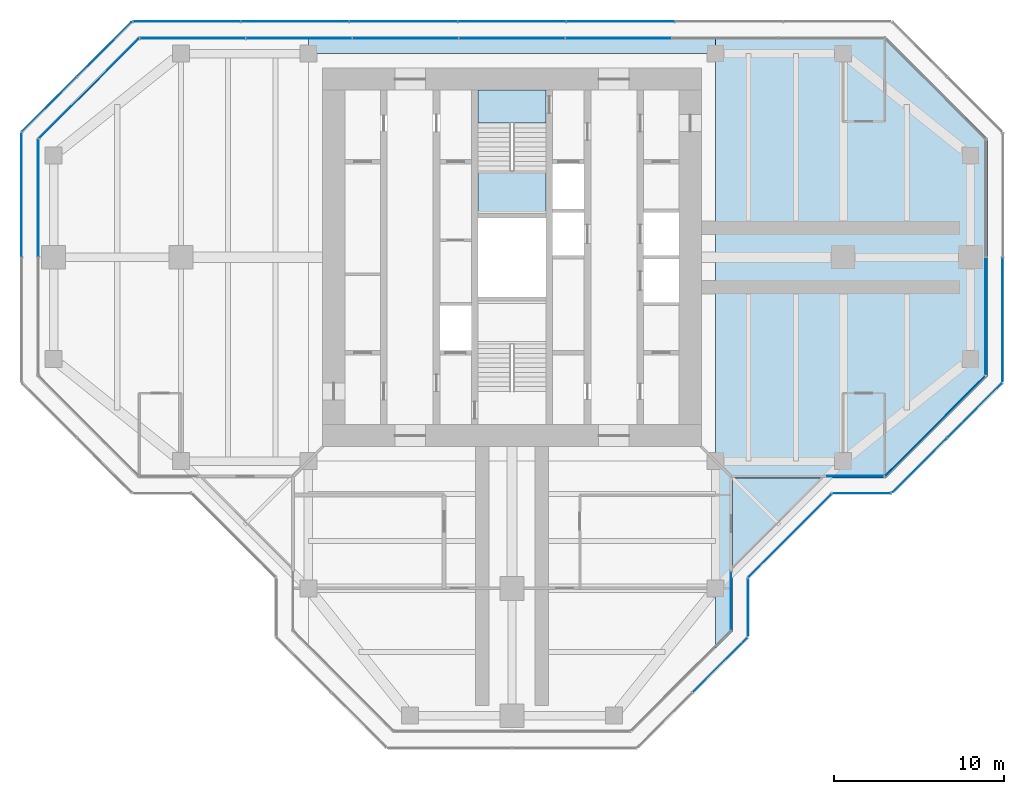
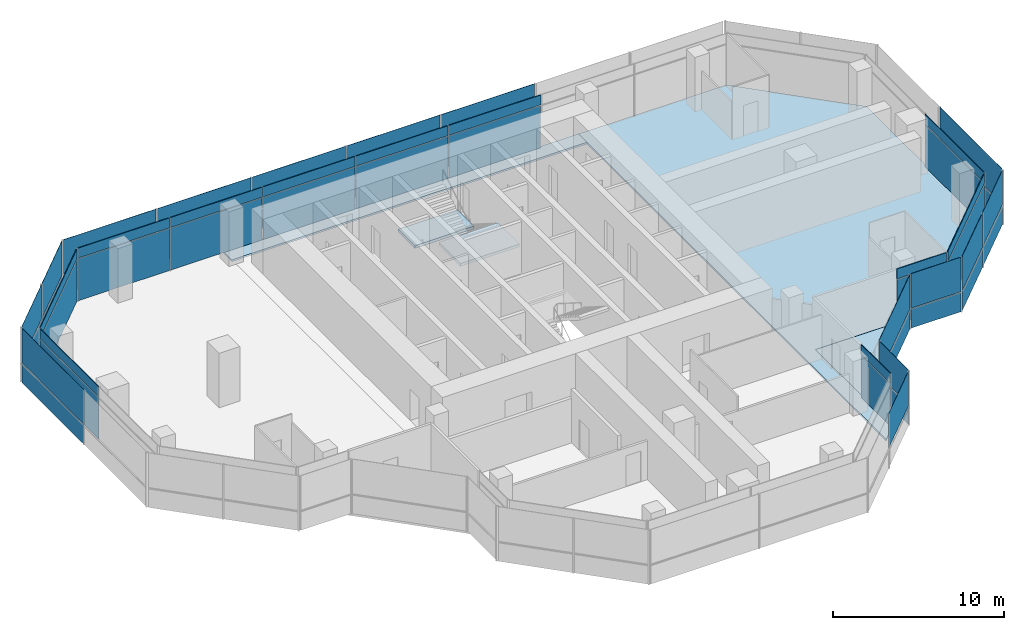
# One storey, part 10 of 15: 51 plates, 5 slabs, 17 elements without a shape of their own.
"""IFC4 building model written with IfcOpenShell, lengths in metres."""

from ifc_helpers import new_model, si_unit, direction, frame, origin, origin_2d, place, context, subcontext, project, spatial, polyline, rectangle, outline, extrude, material, layer, layer_set, type_object, element, aggregate, save


model = new_model("IFC4")

# Units and contexts
model_context = context("Model", 3, precision=1e-05, world=origin(), true_north=direction((0.0, 1.0)))
body_context = subcontext(model_context, "Body", "Model", "MODEL_VIEW")
ifc_project = project(units=[si_unit("LENGTHUNIT", "METRE"), si_unit("AREAUNIT", "SQUARE_METRE"), si_unit("VOLUMEUNIT", "CUBIC_METRE"), si_unit("PLANEANGLEUNIT", "RADIAN"), si_unit("MASSUNIT", "GRAM", prefix="KILO")], contexts=[model_context])

# Site, building, storey
site_placement = place(None, origin())
site = spatial("IfcSite", under=ifc_project, at=site_placement, CompositionType="ELEMENT")
building_placement = place(site_placement, origin())
building = spatial("IfcBuilding", under=site, at=building_placement, Name="Mizan Broadcast Tower", CompositionType="ELEMENT")
storey_placement = place(building_placement, frame((0.0, 0.0, 279.0)))
storey = spatial("IfcBuildingStorey", under=building, at=storey_placement, Name="L66", CompositionType="ELEMENT", Elevation=279.0)

# Slabs
ifc_material_1 = material(Name="Concrete C32/40", Category="concrete")
ifc_layer_1 = layer(ifc_material_1, 0.1298828125)
ifc_layer_set_1 = layer_set([ifc_layer_1], Name="Concrete C32/40")
slab_type_1 = type_object("IfcSlabType", Name="COMPOSITE DECK SLAB 130", PredefinedType="FLOOR", material=ifc_layer_set_1)
slab_1_placement = place(storey_placement, frame((0.0, 0.0, -0.1298828125)))
element("IfcSlab", 1, at=slab_1_placement, inside=storey, type_object=slab_type_1, Name="Floor slab L66 east arm", PredefinedType="FLOOR", context=body_context, shape_type="SweptSolid", body=[
    extrude(outline(polyline([(12.0, -23.0), (13.0, -22.0), (13.0, -13.0), (22.0, -13.0), (28.0, -7.0), (28.0, 7.0), (22.0, 13.0), (13.0, 13.0), (12.0, 13.0), (12.0, -23.0)])), origin(), (0.0, 0.0, 1.0), 0.1298828125),
])
slab_2_placement = place(storey_placement, frame((0.0, 0.0, -0.1298828125)))
element("IfcSlab", 2, at=slab_2_placement, inside=storey, type_object=slab_type_1, Name="Floor slab L66 north arm", PredefinedType="FLOOR", context=body_context, shape_type="SweptSolid", body=[
    extrude(outline(polyline([(12.0, 13.0), (-12.0, 13.0), (-12.0, 12.0), (12.0, 12.0), (12.0, 13.0)])), origin(), (0.0, 0.0, 1.0), 0.1298828125),
])

# Curtain wall, plate
ifc_material_2 = material(Name="Aluminium framed glazing", Category="aluminium")
curtain_wall_type_1 = type_object("IfcCurtainWallType", Name="INNER SKIN TOP ZONE", PredefinedType="USERDEFINED", material=ifc_material_2)
curtain_wall_1_placement = place(storey_placement, origin())
curtain_wall_1 = element("IfcCurtainWall", 3, at=curtain_wall_1_placement, inside=storey, type_object=curtain_wall_type_1, Name="Inner skin top zone L66 E side", ObjectType="INNER SKIN TOP ZONE", PredefinedType="USERDEFINED")
ifc_material_3 = material(Name="Double glazing, clear low-e", Category="glass")
ifc_layer_2 = layer(ifc_material_3, 0.028076171875)
ifc_layer_set_2 = layer_set([ifc_layer_2], Name="Double glazing, clear low-e")
plate_type_1 = type_object("IfcPlateType", Name="INNER SKIN GLAZING UNIT", PredefinedType="CURTAIN_PANEL", material=ifc_layer_set_2)
plate_1_placement = place(storey_placement, frame((20.229248046875, -12.89990234375, 0.0), z_axis=(0.0, 0.0, 1.0), x_axis=(1.0, 0.0, 0.0)))
plate_1 = element("IfcPlate", 4, at=plate_1_placement, type_object=plate_type_1, Name="Inner skin top zone L66 E side panel 1.1", PredefinedType="CURTAIN_PANEL", context=body_context, shape_type="SweptSolid", body=[
    extrude(rectangle(XDim=3.338623046875, YDim=0.028076171875, at=origin_2d()), origin(), (0.0, 0.0, 1.0), 3.0),
])

curtain_wall_2_placement = place(storey_placement, origin())
curtain_wall_2 = element("IfcCurtainWall", 5, at=curtain_wall_2_placement, inside=storey, type_object=curtain_wall_type_1, Name="Inner skin top zone L66 E chamfer", ObjectType="INNER SKIN TOP ZONE", PredefinedType="USERDEFINED")
plate_2_placement = place(storey_placement, frame((24.92919921875, -9.92919921875, 0.0), z_axis=(0.0, 0.0, 1.0), x_axis=(0.707106781187, 0.707106781187, 0.0)))
plate_2 = element("IfcPlate", 6, at=plate_2_placement, type_object=plate_type_1, Name="Inner skin top zone L66 E chamfer panel 1.1", PredefinedType="CURTAIN_PANEL", context=body_context, shape_type="SweptSolid", body=[
    extrude(rectangle(XDim=8.282470703125, YDim=0.028076171875, at=origin_2d()), origin(), (0.0, 0.0, 1.0), 3.0),
])

curtain_wall_3_placement = place(storey_placement, origin())
curtain_wall_3 = element("IfcCurtainWall", 7, at=curtain_wall_3_placement, inside=storey, type_object=curtain_wall_type_1, Name="Inner skin top zone L66 E end", ObjectType="INNER SKIN TOP ZONE", PredefinedType="USERDEFINED")
plate_3_placement = place(storey_placement, frame((27.89990234375, -3.46435546875, 0.0), z_axis=(0.0, 0.0, 1.0), x_axis=(0.0, 1.0, 0.0)))
plate_3 = element("IfcPlate", 8, at=plate_3_placement, type_object=plate_type_1, Name="Inner skin top zone L66 E end panel 1.1", PredefinedType="CURTAIN_PANEL", context=body_context, shape_type="SweptSolid", body=[
    extrude(rectangle(XDim=6.86865234375, YDim=0.028076171875, at=origin_2d()), origin(), (0.0, 0.0, 1.0), 3.0),
])

# Curtain wall, plates
curtain_wall_4_placement = place(storey_placement, origin())
curtain_wall_4 = element("IfcCurtainWall", 9, at=curtain_wall_4_placement, inside=storey, type_object=curtain_wall_type_1, Name="Inner skin top zone L66 N end", ObjectType="INNER SKIN TOP ZONE", PredefinedType="USERDEFINED")
plate_4_placement = place(storey_placement, frame((6.27392578125, 12.89990234375, 0.0), z_axis=(0.0, 0.0, 1.0), x_axis=(-1.0, 0.0, 0.0)))
plate_4 = element("IfcPlate", 10, at=plate_4_placement, type_object=plate_type_1, Name="Inner skin top zone L66 N end panel 3.1", PredefinedType="CURTAIN_PANEL", context=body_context, shape_type="SweptSolid", body=[
    extrude(rectangle(XDim=6.2138671875, YDim=0.028076171875, at=origin_2d()), origin(), (0.0, 0.0, 1.0), 3.0),
])
plate_5_placement = place(storey_placement, frame((0.0, 12.89990234375, 0.0), z_axis=(0.0, 0.0, 1.0), x_axis=(-1.0, 0.0, 0.0)))
plate_5 = element("IfcPlate", 11, at=plate_5_placement, type_object=plate_type_1, Name="Inner skin top zone L66 N end panel 4.1", PredefinedType="CURTAIN_PANEL", context=body_context, shape_type="SweptSolid", body=[
    extrude(rectangle(XDim=6.2138671875, YDim=0.028076171875, at=origin_2d()), origin(), (0.0, 0.0, 1.0), 3.0),
])
plate_6_placement = place(storey_placement, frame((-6.27392578125, 12.89990234375, 0.0), z_axis=(0.0, 0.0, 1.0), x_axis=(-1.0, 0.0, 0.0)))
plate_6 = element("IfcPlate", 12, at=plate_6_placement, type_object=plate_type_1, Name="Inner skin top zone L66 N end panel 5.1", PredefinedType="CURTAIN_PANEL", context=body_context, shape_type="SweptSolid", body=[
    extrude(rectangle(XDim=6.2138671875, YDim=0.028076171875, at=origin_2d()), origin(), (0.0, 0.0, 1.0), 3.0),
])
plate_7_placement = place(storey_placement, frame((-12.5478515625, 12.89990234375, 0.0), z_axis=(0.0, 0.0, 1.0), x_axis=(-1.0, 0.0, 0.0)))
plate_7 = element("IfcPlate", 13, at=plate_7_placement, type_object=plate_type_1, Name="Inner skin top zone L66 N end panel 6.1", PredefinedType="CURTAIN_PANEL", context=body_context, shape_type="SweptSolid", body=[
    extrude(rectangle(XDim=6.2138671875, YDim=0.028076171875, at=origin_2d()), origin(), (0.0, 0.0, 1.0), 3.0),
])
plate_8_placement = place(storey_placement, frame((-18.806640625, 12.89990234375, 0.0), z_axis=(0.0, 0.0, 1.0), x_axis=(-1.0, 0.0, 0.0)))
plate_8 = element("IfcPlate", 14, at=plate_8_placement, type_object=plate_type_1, Name="Inner skin top zone L66 N end panel 7.1", PredefinedType="CURTAIN_PANEL", context=body_context, shape_type="SweptSolid", body=[
    extrude(rectangle(XDim=6.183837890625, YDim=0.028076171875, at=origin_2d()), origin(), (0.0, 0.0, 1.0), 3.0),
])

# Curtain wall, plate
curtain_wall_5_placement = place(storey_placement, origin())
curtain_wall_5 = element("IfcCurtainWall", 15, at=curtain_wall_5_placement, inside=storey, type_object=curtain_wall_type_1, Name="Inner skin top zone L66 W chamfer", ObjectType="INNER SKIN TOP ZONE", PredefinedType="USERDEFINED")
plate_9_placement = place(storey_placement, frame((-24.92919921875, 9.92919921875, 0.0), z_axis=(0.0, 0.0, 1.0), x_axis=(-0.707106781187, -0.707106781187, 0.0)))
plate_9 = element("IfcPlate", 16, at=plate_9_placement, type_object=plate_type_1, Name="Inner skin top zone L66 W chamfer panel 1.1", PredefinedType="CURTAIN_PANEL", context=body_context, shape_type="SweptSolid", body=[
    extrude(rectangle(XDim=8.282470703125, YDim=0.028076171875, at=origin_2d()), origin(), (0.0, 0.0, 1.0), 3.0),
])

curtain_wall_6_placement = place(storey_placement, origin())
curtain_wall_6 = element("IfcCurtainWall", 17, at=curtain_wall_6_placement, inside=storey, type_object=curtain_wall_type_1, Name="Inner skin top zone L66 W end", ObjectType="INNER SKIN TOP ZONE", PredefinedType="USERDEFINED")
plate_10_placement = place(storey_placement, frame((-27.89990234375, 3.46435546875, 0.0), z_axis=(0.0, 0.0, 1.0), x_axis=(0.0, -1.0, 0.0)))
plate_10 = element("IfcPlate", 18, at=plate_10_placement, type_object=plate_type_1, Name="Inner skin top zone L66 W end panel 1.1", PredefinedType="CURTAIN_PANEL", context=body_context, shape_type="SweptSolid", body=[
    extrude(rectangle(XDim=6.86865234375, YDim=0.028076171875, at=origin_2d()), origin(), (0.0, 0.0, 1.0), 3.0),
])

curtain_wall_7_placement = place(storey_placement, origin())
curtain_wall_7 = element("IfcCurtainWall", 19, at=curtain_wall_7_placement, inside=storey, type_object=curtain_wall_type_1, Name="Inner skin top zone L66 S side", ObjectType="INNER SKIN TOP ZONE", PredefinedType="USERDEFINED")
plate_11_placement = place(storey_placement, frame((12.89990234375, -20.229248046875, 0.0), z_axis=(0.0, 0.0, 1.0), x_axis=(0.0, 1.0, 0.0)))
plate_11 = element("IfcPlate", 20, at=plate_11_placement, type_object=plate_type_1, Name="Inner skin top zone L66 S side panel 1.1", PredefinedType="CURTAIN_PANEL", context=body_context, shape_type="SweptSolid", body=[
    extrude(rectangle(XDim=3.338623046875, YDim=0.028076171875, at=origin_2d()), origin(), (0.0, 0.0, 1.0), 3.0),
])

# Plate
ifc_material_4 = material(Name="Insulated aluminium spandrel panel, pale anodised", Category="aluminium")
ifc_layer_3 = layer(ifc_material_4, 0.050048828125)
ifc_layer_set_3 = layer_set([ifc_layer_3], Name="Insulated aluminium spandrel panel, pale anodised")
plate_type_2 = type_object("IfcPlateType", Name="INNER SKIN SPANDREL PANEL", PredefinedType="CURTAIN_PANEL", material=ifc_layer_set_3)
plate_12_placement = place(storey_placement, frame((20.229248046875, -12.89990234375, 3.06005859375), z_axis=(0.0, 0.0, 1.0), x_axis=(1.0, 0.0, 0.0)))
plate_12 = element("IfcPlate", 21, at=plate_12_placement, type_object=plate_type_2, Name="Inner skin top zone L66 E side panel 1.2", PredefinedType="CURTAIN_PANEL", context=body_context, shape_type="SweptSolid", body=[
    extrude(rectangle(XDim=3.338623046875, YDim=0.050048828125, at=origin_2d()), origin(), (0.0, 0.0, 1.0), 0.7099609375),
])

aggregate(curtain_wall_1, [plate_1, plate_12])

plate_13_placement = place(storey_placement, frame((24.92919921875, -9.92919921875, 3.06005859375), z_axis=(0.0, 0.0, 1.0), x_axis=(0.707106781187, 0.707106781187, 0.0)))
plate_13 = element("IfcPlate", 22, at=plate_13_placement, type_object=plate_type_2, Name="Inner skin top zone L66 E chamfer panel 1.2", PredefinedType="CURTAIN_PANEL", context=body_context, shape_type="SweptSolid", body=[
    extrude(rectangle(XDim=8.282470703125, YDim=0.050048828125, at=origin_2d()), origin(), (0.0, 0.0, 1.0), 0.7099609375),
])

aggregate(curtain_wall_2, [plate_2, plate_13])

plate_14_placement = place(storey_placement, frame((27.89990234375, -3.46435546875, 3.06005859375), z_axis=(0.0, 0.0, 1.0), x_axis=(0.0, 1.0, 0.0)))
plate_14 = element("IfcPlate", 23, at=plate_14_placement, type_object=plate_type_2, Name="Inner skin top zone L66 E end panel 1.2", PredefinedType="CURTAIN_PANEL", context=body_context, shape_type="SweptSolid", body=[
    extrude(rectangle(XDim=6.86865234375, YDim=0.050048828125, at=origin_2d()), origin(), (0.0, 0.0, 1.0), 0.7099609375),
])

aggregate(curtain_wall_3, [plate_3, plate_14])

plate_15_placement = place(storey_placement, frame((6.27392578125, 12.89990234375, 3.06005859375), z_axis=(0.0, 0.0, 1.0), x_axis=(-1.0, 0.0, 0.0)))
plate_15 = element("IfcPlate", 24, at=plate_15_placement, type_object=plate_type_2, Name="Inner skin top zone L66 N end panel 3.2", PredefinedType="CURTAIN_PANEL", context=body_context, shape_type="SweptSolid", body=[
    extrude(rectangle(XDim=6.2138671875, YDim=0.050048828125, at=origin_2d()), origin(), (0.0, 0.0, 1.0), 0.7099609375),
])

plate_16_placement = place(storey_placement, frame((0.0, 12.89990234375, 3.06005859375), z_axis=(0.0, 0.0, 1.0), x_axis=(-1.0, 0.0, 0.0)))
plate_16 = element("IfcPlate", 25, at=plate_16_placement, type_object=plate_type_2, Name="Inner skin top zone L66 N end panel 4.2", PredefinedType="CURTAIN_PANEL", context=body_context, shape_type="SweptSolid", body=[
    extrude(rectangle(XDim=6.2138671875, YDim=0.050048828125, at=origin_2d()), origin(), (0.0, 0.0, 1.0), 0.7099609375),
])

plate_17_placement = place(storey_placement, frame((-6.27392578125, 12.89990234375, 3.06005859375), z_axis=(0.0, 0.0, 1.0), x_axis=(-1.0, 0.0, 0.0)))
plate_17 = element("IfcPlate", 26, at=plate_17_placement, type_object=plate_type_2, Name="Inner skin top zone L66 N end panel 5.2", PredefinedType="CURTAIN_PANEL", context=body_context, shape_type="SweptSolid", body=[
    extrude(rectangle(XDim=6.2138671875, YDim=0.050048828125, at=origin_2d()), origin(), (0.0, 0.0, 1.0), 0.7099609375),
])

plate_18_placement = place(storey_placement, frame((-12.5478515625, 12.89990234375, 3.06005859375), z_axis=(0.0, 0.0, 1.0), x_axis=(-1.0, 0.0, 0.0)))
plate_18 = element("IfcPlate", 27, at=plate_18_placement, type_object=plate_type_2, Name="Inner skin top zone L66 N end panel 6.2", PredefinedType="CURTAIN_PANEL", context=body_context, shape_type="SweptSolid", body=[
    extrude(rectangle(XDim=6.2138671875, YDim=0.050048828125, at=origin_2d()), origin(), (0.0, 0.0, 1.0), 0.7099609375),
])

plate_19_placement = place(storey_placement, frame((-18.806640625, 12.89990234375, 3.06005859375), z_axis=(0.0, 0.0, 1.0), x_axis=(-1.0, 0.0, 0.0)))
plate_19 = element("IfcPlate", 28, at=plate_19_placement, type_object=plate_type_2, Name="Inner skin top zone L66 N end panel 7.2", PredefinedType="CURTAIN_PANEL", context=body_context, shape_type="SweptSolid", body=[
    extrude(rectangle(XDim=6.183837890625, YDim=0.050048828125, at=origin_2d()), origin(), (0.0, 0.0, 1.0), 0.7099609375),
])

aggregate(curtain_wall_4, [plate_4, plate_15, plate_5, plate_16, plate_6, plate_17, plate_7, plate_18, plate_8, plate_19])

plate_20_placement = place(storey_placement, frame((-24.92919921875, 9.92919921875, 3.06005859375), z_axis=(0.0, 0.0, 1.0), x_axis=(-0.707106781187, -0.707106781187, 0.0)))
plate_20 = element("IfcPlate", 29, at=plate_20_placement, type_object=plate_type_2, Name="Inner skin top zone L66 W chamfer panel 1.2", PredefinedType="CURTAIN_PANEL", context=body_context, shape_type="SweptSolid", body=[
    extrude(rectangle(XDim=8.282470703125, YDim=0.050048828125, at=origin_2d()), origin(), (0.0, 0.0, 1.0), 0.7099609375),
])

aggregate(curtain_wall_5, [plate_9, plate_20])

plate_21_placement = place(storey_placement, frame((-27.89990234375, 3.46435546875, 3.06005859375), z_axis=(0.0, 0.0, 1.0), x_axis=(0.0, -1.0, 0.0)))
plate_21 = element("IfcPlate", 30, at=plate_21_placement, type_object=plate_type_2, Name="Inner skin top zone L66 W end panel 1.2", PredefinedType="CURTAIN_PANEL", context=body_context, shape_type="SweptSolid", body=[
    extrude(rectangle(XDim=6.86865234375, YDim=0.050048828125, at=origin_2d()), origin(), (0.0, 0.0, 1.0), 0.7099609375),
])

aggregate(curtain_wall_6, [plate_10, plate_21])

plate_22_placement = place(storey_placement, frame((12.89990234375, -20.229248046875, 3.06005859375), z_axis=(0.0, 0.0, 1.0), x_axis=(0.0, 1.0, 0.0)))
plate_22 = element("IfcPlate", 31, at=plate_22_placement, type_object=plate_type_2, Name="Inner skin top zone L66 S side panel 1.2", PredefinedType="CURTAIN_PANEL", context=body_context, shape_type="SweptSolid", body=[
    extrude(rectangle(XDim=3.338623046875, YDim=0.050048828125, at=origin_2d()), origin(), (0.0, 0.0, 1.0), 0.7099609375),
])

aggregate(curtain_wall_7, [plate_11, plate_22])

# Curtain wall, plates
ifc_material_5 = material(Name="Aluminium framed glazing", Category="aluminium")
curtain_wall_type_2 = type_object("IfcCurtainWallType", Name="OUTER SKIN", PredefinedType="USERDEFINED", material=ifc_material_5)
curtain_wall_8_placement = place(storey_placement, origin())
curtain_wall_8 = element("IfcCurtainWall", 32, at=curtain_wall_8_placement, inside=storey, type_object=curtain_wall_type_2, Name="Outer skin L66 S side", ObjectType="OUTER SKIN", PredefinedType="USERDEFINED")
ifc_material_6 = material(Name="Laminated clear glass", Category="glass")
ifc_layer_4 = layer(ifc_material_6, 0.02001953125)
ifc_layer_set_4 = layer_set([ifc_layer_4], Name="Laminated clear glass")
plate_type_3 = type_object("IfcPlateType", Name="OUTER SKIN CLEAR GLASS", PredefinedType="CURTAIN_PANEL", material=ifc_layer_set_4)
plate_23_placement = place(storey_placement, frame((13.89990234375, -20.622802734375, 0.0), z_axis=(0.0, 0.0, 1.0), x_axis=(0.0, 1.0, 0.0)))
plate_23 = element("IfcPlate", 33, at=plate_23_placement, type_object=plate_type_3, Name="Outer skin L66 S side panel 1.1", PredefinedType="CURTAIN_PANEL", context=body_context, shape_type="SweptSolid", body=[
    extrude(rectangle(XDim=3.340087890625, YDim=0.02001953125, at=origin_2d()), origin(), (0.0, 0.0, 1.0), 1.3701171875),
])
plate_24_placement = place(storey_placement, frame((13.89990234375, -20.622802734375, 1.43017578125), z_axis=(0.0, 0.0, 1.0), x_axis=(0.0, 1.0, 0.0)))
plate_24 = element("IfcPlate", 34, at=plate_24_placement, type_object=plate_type_3, Name="Outer skin L66 S side panel 1.2", PredefinedType="CURTAIN_PANEL", context=body_context, shape_type="SweptSolid", body=[
    extrude(rectangle(XDim=3.340087890625, YDim=0.02001953125, at=origin_2d()), origin(), (0.0, 0.0, 1.0), 2.469970703125),
])
aggregate(curtain_wall_8, [plate_23, plate_24])

curtain_wall_9_placement = place(storey_placement, origin())
curtain_wall_9 = element("IfcCurtainWall", 35, at=curtain_wall_9_placement, inside=storey, type_object=curtain_wall_type_2, Name="Outer skin L66 E chamfer", ObjectType="OUTER SKIN", PredefinedType="USERDEFINED")
plate_25_placement = place(storey_placement, frame((16.386474609375, -16.386474609375, 0.0), z_axis=(0.0, 0.0, 1.0), x_axis=(0.707106781187, 0.707106781187, 0.0)))
plate_25 = element("IfcPlate", 36, at=plate_25_placement, type_object=plate_type_3, Name="Outer skin L66 E chamfer panel 1.1", PredefinedType="CURTAIN_PANEL", context=body_context, shape_type="SweptSolid", body=[
    extrude(rectangle(XDim=6.87255859375, YDim=0.02001953125, at=origin_2d()), origin(), (0.0, 0.0, 1.0), 1.3701171875),
])
plate_26_placement = place(storey_placement, frame((16.386474609375, -16.386474609375, 1.43017578125), z_axis=(0.0, 0.0, 1.0), x_axis=(0.707106781187, 0.707106781187, 0.0)))
plate_26 = element("IfcPlate", 37, at=plate_26_placement, type_object=plate_type_3, Name="Outer skin L66 E chamfer panel 1.2", PredefinedType="CURTAIN_PANEL", context=body_context, shape_type="SweptSolid", body=[
    extrude(rectangle(XDim=6.87255859375, YDim=0.02001953125, at=origin_2d()), origin(), (0.0, 0.0, 1.0), 2.469970703125),
])
aggregate(curtain_wall_9, [plate_25, plate_26])

curtain_wall_10_placement = place(storey_placement, origin())
curtain_wall_10 = element("IfcCurtainWall", 38, at=curtain_wall_10_placement, inside=storey, type_object=curtain_wall_type_2, Name="Outer skin L66 E side", ObjectType="OUTER SKIN", PredefinedType="USERDEFINED")
plate_27_placement = place(storey_placement, frame((20.622802734375, -13.89990234375, 0.0), z_axis=(0.0, 0.0, 1.0), x_axis=(1.0, 0.0, 0.0)))
plate_27 = element("IfcPlate", 39, at=plate_27_placement, type_object=plate_type_3, Name="Outer skin L66 E side panel 1.1", PredefinedType="CURTAIN_PANEL", context=body_context, shape_type="SweptSolid", body=[
    extrude(rectangle(XDim=3.340087890625, YDim=0.02001953125, at=origin_2d()), origin(), (0.0, 0.0, 1.0), 1.3701171875),
])
plate_28_placement = place(storey_placement, frame((20.622802734375, -13.89990234375, 1.43017578125), z_axis=(0.0, 0.0, 1.0), x_axis=(1.0, 0.0, 0.0)))
plate_28 = element("IfcPlate", 40, at=plate_28_placement, type_object=plate_type_3, Name="Outer skin L66 E side panel 1.2", PredefinedType="CURTAIN_PANEL", context=body_context, shape_type="SweptSolid", body=[
    extrude(rectangle(XDim=3.340087890625, YDim=0.02001953125, at=origin_2d()), origin(), (0.0, 0.0, 1.0), 2.469970703125),
])
aggregate(curtain_wall_10, [plate_27, plate_28])

curtain_wall_11_placement = place(storey_placement, origin())
curtain_wall_11 = element("IfcCurtainWall", 41, at=curtain_wall_11_placement, inside=storey, type_object=curtain_wall_type_2, Name="Outer skin L66 E chamfer", ObjectType="OUTER SKIN", PredefinedType="USERDEFINED")
plate_29_placement = place(storey_placement, frame((24.018798828125, -12.254150390625, 0.0), z_axis=(0.0, 0.0, 1.0), x_axis=(0.707106781187, 0.707106781187, 0.0)))
plate_29 = element("IfcPlate", 42, at=plate_29_placement, type_object=plate_type_3, Name="Outer skin L66 E chamfer panel 1.1", PredefinedType="CURTAIN_PANEL", context=body_context, shape_type="SweptSolid", body=[
    extrude(rectangle(XDim=4.495361328125, YDim=0.02001953125, at=origin_2d()), origin(), (0.0, 0.0, 1.0), 1.3701171875),
])
plate_30_placement = place(storey_placement, frame((24.018798828125, -12.254150390625, 1.43017578125), z_axis=(0.0, 0.0, 1.0), x_axis=(0.707106781187, 0.707106781187, 0.0)))
plate_30 = element("IfcPlate", 43, at=plate_30_placement, type_object=plate_type_3, Name="Outer skin L66 E chamfer panel 1.2", PredefinedType="CURTAIN_PANEL", context=body_context, shape_type="SweptSolid", body=[
    extrude(rectangle(XDim=4.495361328125, YDim=0.02001953125, at=origin_2d()), origin(), (0.0, 0.0, 1.0), 2.469970703125),
])

curtain_wall_12_placement = place(storey_placement, origin())
curtain_wall_12 = element("IfcCurtainWall", 44, at=curtain_wall_12_placement, inside=storey, type_object=curtain_wall_type_2, Name="Outer skin L66 E end", ObjectType="OUTER SKIN", PredefinedType="USERDEFINED")
plate_31_placement = place(storey_placement, frame((28.89990234375, -3.66650390625, 0.0), z_axis=(0.0, 0.0, 1.0), x_axis=(0.0, 1.0, 0.0)))
plate_31 = element("IfcPlate", 45, at=plate_31_placement, type_object=plate_type_3, Name="Outer skin L66 E end panel 1.1", PredefinedType="CURTAIN_PANEL", context=body_context, shape_type="SweptSolid", body=[
    extrude(rectangle(XDim=7.252685546875, YDim=0.02001953125, at=origin_2d()), origin(), (0.0, 0.0, 1.0), 1.3701171875),
])
plate_32_placement = place(storey_placement, frame((28.89990234375, -3.66650390625, 1.43017578125), z_axis=(0.0, 0.0, 1.0), x_axis=(0.0, 1.0, 0.0)))
plate_32 = element("IfcPlate", 46, at=plate_32_placement, type_object=plate_type_3, Name="Outer skin L66 E end panel 1.2", PredefinedType="CURTAIN_PANEL", context=body_context, shape_type="SweptSolid", body=[
    extrude(rectangle(XDim=7.252685546875, YDim=0.02001953125, at=origin_2d()), origin(), (0.0, 0.0, 1.0), 2.469970703125),
])
aggregate(curtain_wall_12, [plate_31, plate_32])

curtain_wall_13_placement = place(storey_placement, origin())
curtain_wall_13 = element("IfcCurtainWall", 47, at=curtain_wall_13_placement, inside=storey, type_object=curtain_wall_type_2, Name="Outer skin L66 N end", ObjectType="OUTER SKIN", PredefinedType="USERDEFINED")
plate_33_placement = place(storey_placement, frame((6.392333984375, 13.89990234375, 0.0), z_axis=(0.0, 0.0, 1.0), x_axis=(-1.0, 0.0, 0.0)))
plate_33 = element("IfcPlate", 48, at=plate_33_placement, type_object=plate_type_3, Name="Outer skin L66 N end panel 3.1", PredefinedType="CURTAIN_PANEL", context=body_context, shape_type="SweptSolid", body=[
    extrude(rectangle(XDim=6.312255859375, YDim=0.02001953125, at=origin_2d()), origin(), (0.0, 0.0, 1.0), 1.3701171875),
])
plate_34_placement = place(storey_placement, frame((6.392333984375, 13.89990234375, 1.43017578125), z_axis=(0.0, 0.0, 1.0), x_axis=(-1.0, 0.0, 0.0)))
plate_34 = element("IfcPlate", 49, at=plate_34_placement, type_object=plate_type_3, Name="Outer skin L66 N end panel 3.2", PredefinedType="CURTAIN_PANEL", context=body_context, shape_type="SweptSolid", body=[
    extrude(rectangle(XDim=6.312255859375, YDim=0.02001953125, at=origin_2d()), origin(), (0.0, 0.0, 1.0), 2.469970703125),
])
plate_35_placement = place(storey_placement, frame((0.0, 13.89990234375, 0.0), z_axis=(0.0, 0.0, 1.0), x_axis=(-1.0, 0.0, 0.0)))
plate_35 = element("IfcPlate", 50, at=plate_35_placement, type_object=plate_type_3, Name="Outer skin L66 N end panel 4.1", PredefinedType="CURTAIN_PANEL", context=body_context, shape_type="SweptSolid", body=[
    extrude(rectangle(XDim=6.312255859375, YDim=0.02001953125, at=origin_2d()), origin(), (0.0, 0.0, 1.0), 1.3701171875),
])
plate_36_placement = place(storey_placement, frame((0.0, 13.89990234375, 1.43017578125), z_axis=(0.0, 0.0, 1.0), x_axis=(-1.0, 0.0, 0.0)))
plate_36 = element("IfcPlate", 51, at=plate_36_placement, type_object=plate_type_3, Name="Outer skin L66 N end panel 4.2", PredefinedType="CURTAIN_PANEL", context=body_context, shape_type="SweptSolid", body=[
    extrude(rectangle(XDim=6.312255859375, YDim=0.02001953125, at=origin_2d()), origin(), (0.0, 0.0, 1.0), 2.469970703125),
])
plate_37_placement = place(storey_placement, frame((-6.392333984375, 13.89990234375, 0.0), z_axis=(0.0, 0.0, 1.0), x_axis=(-1.0, 0.0, 0.0)))
plate_37 = element("IfcPlate", 52, at=plate_37_placement, type_object=plate_type_3, Name="Outer skin L66 N end panel 5.1", PredefinedType="CURTAIN_PANEL", context=body_context, shape_type="SweptSolid", body=[
    extrude(rectangle(XDim=6.312255859375, YDim=0.02001953125, at=origin_2d()), origin(), (0.0, 0.0, 1.0), 1.3701171875),
])
plate_38_placement = place(storey_placement, frame((-6.392333984375, 13.89990234375, 1.43017578125), z_axis=(0.0, 0.0, 1.0), x_axis=(-1.0, 0.0, 0.0)))
plate_38 = element("IfcPlate", 53, at=plate_38_placement, type_object=plate_type_3, Name="Outer skin L66 N end panel 5.2", PredefinedType="CURTAIN_PANEL", context=body_context, shape_type="SweptSolid", body=[
    extrude(rectangle(XDim=6.312255859375, YDim=0.02001953125, at=origin_2d()), origin(), (0.0, 0.0, 1.0), 2.469970703125),
])
plate_39_placement = place(storey_placement, frame((-12.784423828125, 13.89990234375, 0.0), z_axis=(0.0, 0.0, 1.0), x_axis=(-1.0, 0.0, 0.0)))
plate_39 = element("IfcPlate", 54, at=plate_39_placement, type_object=plate_type_3, Name="Outer skin L66 N end panel 6.1", PredefinedType="CURTAIN_PANEL", context=body_context, shape_type="SweptSolid", body=[
    extrude(rectangle(XDim=6.312255859375, YDim=0.02001953125, at=origin_2d()), origin(), (0.0, 0.0, 1.0), 1.3701171875),
])
plate_40_placement = place(storey_placement, frame((-12.784423828125, 13.89990234375, 1.43017578125), z_axis=(0.0, 0.0, 1.0), x_axis=(-1.0, 0.0, 0.0)))
plate_40 = element("IfcPlate", 55, at=plate_40_placement, type_object=plate_type_3, Name="Outer skin L66 N end panel 6.2", PredefinedType="CURTAIN_PANEL", context=body_context, shape_type="SweptSolid", body=[
    extrude(rectangle(XDim=6.312255859375, YDim=0.02001953125, at=origin_2d()), origin(), (0.0, 0.0, 1.0), 2.469970703125),
])
plate_41_placement = place(storey_placement, frame((-19.15673828125, 13.89990234375, 0.0), z_axis=(0.0, 0.0, 1.0), x_axis=(-1.0, 0.0, 0.0)))
plate_41 = element("IfcPlate", 56, at=plate_41_placement, type_object=plate_type_3, Name="Outer skin L66 N end panel 7.1", PredefinedType="CURTAIN_PANEL", context=body_context, shape_type="SweptSolid", body=[
    extrude(rectangle(XDim=6.272216796875, YDim=0.02001953125, at=origin_2d()), origin(), (0.0, 0.0, 1.0), 1.3701171875),
])
plate_42_placement = place(storey_placement, frame((-19.15673828125, 13.89990234375, 1.43017578125), z_axis=(0.0, 0.0, 1.0), x_axis=(-1.0, 0.0, 0.0)))
plate_42 = element("IfcPlate", 57, at=plate_42_placement, type_object=plate_type_3, Name="Outer skin L66 N end panel 7.2", PredefinedType="CURTAIN_PANEL", context=body_context, shape_type="SweptSolid", body=[
    extrude(rectangle(XDim=6.272216796875, YDim=0.02001953125, at=origin_2d()), origin(), (0.0, 0.0, 1.0), 2.469970703125),
])
aggregate(curtain_wall_13, [plate_33, plate_34, plate_35, plate_36, plate_37, plate_38, plate_39, plate_40, plate_41, plate_42])

curtain_wall_14_placement = place(storey_placement, origin())
curtain_wall_14 = element("IfcCurtainWall", 58, at=curtain_wall_14_placement, inside=storey, type_object=curtain_wall_type_2, Name="Outer skin L66 W chamfer", ObjectType="OUTER SKIN", PredefinedType="USERDEFINED")
plate_43_placement = place(storey_placement, frame((-24.018798828125, 12.254150390625, 0.0), z_axis=(0.0, 0.0, 1.0), x_axis=(-0.707106781187, -0.707106781187, 0.0)))
plate_43 = element("IfcPlate", 59, at=plate_43_placement, type_object=plate_type_3, Name="Outer skin L66 W chamfer panel 1.1", PredefinedType="CURTAIN_PANEL", context=body_context, shape_type="SweptSolid", body=[
    extrude(rectangle(XDim=4.495361328125, YDim=0.02001953125, at=origin_2d()), origin(), (0.0, 0.0, 1.0), 1.3701171875),
])
plate_44_placement = place(storey_placement, frame((-24.018798828125, 12.254150390625, 1.43017578125), z_axis=(0.0, 0.0, 1.0), x_axis=(-0.707106781187, -0.707106781187, 0.0)))
plate_44 = element("IfcPlate", 60, at=plate_44_placement, type_object=plate_type_3, Name="Outer skin L66 W chamfer panel 1.2", PredefinedType="CURTAIN_PANEL", context=body_context, shape_type="SweptSolid", body=[
    extrude(rectangle(XDim=4.495361328125, YDim=0.02001953125, at=origin_2d()), origin(), (0.0, 0.0, 1.0), 2.469970703125),
])

curtain_wall_15_placement = place(storey_placement, origin())
curtain_wall_15 = element("IfcCurtainWall", 61, at=curtain_wall_15_placement, inside=storey, type_object=curtain_wall_type_2, Name="Outer skin L66 W end", ObjectType="OUTER SKIN", PredefinedType="USERDEFINED")
plate_45_placement = place(storey_placement, frame((-28.89990234375, 3.66650390625, 0.0), z_axis=(0.0, 0.0, 1.0), x_axis=(0.0, -1.0, 0.0)))
plate_45 = element("IfcPlate", 62, at=plate_45_placement, type_object=plate_type_3, Name="Outer skin L66 W end panel 1.1", PredefinedType="CURTAIN_PANEL", context=body_context, shape_type="SweptSolid", body=[
    extrude(rectangle(XDim=7.252685546875, YDim=0.02001953125, at=origin_2d()), origin(), (0.0, 0.0, 1.0), 1.3701171875),
])
plate_46_placement = place(storey_placement, frame((-28.89990234375, 3.66650390625, 1.43017578125), z_axis=(0.0, 0.0, 1.0), x_axis=(0.0, -1.0, 0.0)))
plate_46 = element("IfcPlate", 63, at=plate_46_placement, type_object=plate_type_3, Name="Outer skin L66 W end panel 1.2", PredefinedType="CURTAIN_PANEL", context=body_context, shape_type="SweptSolid", body=[
    extrude(rectangle(XDim=7.252685546875, YDim=0.02001953125, at=origin_2d()), origin(), (0.0, 0.0, 1.0), 2.469970703125),
])
aggregate(curtain_wall_15, [plate_45, plate_46])

# Curtain wall, plate
curtain_wall_16_placement = place(storey_placement, origin())
curtain_wall_16 = element("IfcCurtainWall", 64, at=curtain_wall_16_placement, inside=storey, type_object=curtain_wall_type_2, Name="Outer skin L66 S chamfer", ObjectType="OUTER SKIN", PredefinedType="USERDEFINED")
ifc_material_7 = material(Name="Perforated aluminium, pale anodised", Category="aluminium")
ifc_layer_5 = layer(ifc_material_7, 0.011962890625)
ifc_layer_set_5 = layer_set([ifc_layer_5], Name="Perforated aluminium, pale anodised")
plate_type_4 = type_object("IfcPlateType", Name="OUTER SKIN PERFORATED SCREEN", PredefinedType="USERDEFINED", material=ifc_layer_set_5)
plate_47_placement = place(storey_placement, frame((12.254150390625, -24.018798828125, 1.43017578125), z_axis=(0.0, 0.0, 1.0), x_axis=(0.707106781187, 0.707106781187, 0.0)))
plate_47 = element("IfcPlate", 65, at=plate_47_placement, type_object=plate_type_4, Name="Outer skin L66 S chamfer panel 2.2", ObjectType="SCREEN", PredefinedType="USERDEFINED", context=body_context, shape_type="SweptSolid", body=[
    extrude(rectangle(XDim=4.495361328125, YDim=0.011962890625, at=origin_2d()), origin(), (0.0, 0.0, 1.0), 2.469970703125),
])
aggregate(curtain_wall_16, [plate_47])

# Plate
plate_48_placement = place(storey_placement, frame((27.254150390625, -9.018798828125, 0.0), z_axis=(0.0, 0.0, 1.0), x_axis=(0.707106781187, 0.707106781187, 0.0)))
plate_48 = element("IfcPlate", 66, at=plate_48_placement, type_object=plate_type_4, Name="Outer skin L66 E chamfer panel 2.1", ObjectType="SCREEN", PredefinedType="USERDEFINED", context=body_context, shape_type="SweptSolid", body=[
    extrude(rectangle(XDim=4.495361328125, YDim=0.011962890625, at=origin_2d()), origin(), (0.0, 0.0, 1.0), 1.3701171875),
])

plate_49_placement = place(storey_placement, frame((27.254150390625, -9.018798828125, 1.43017578125), z_axis=(0.0, 0.0, 1.0), x_axis=(0.707106781187, 0.707106781187, 0.0)))
plate_49 = element("IfcPlate", 67, at=plate_49_placement, type_object=plate_type_4, Name="Outer skin L66 E chamfer panel 2.2", ObjectType="SCREEN", PredefinedType="USERDEFINED", context=body_context, shape_type="SweptSolid", body=[
    extrude(rectangle(XDim=4.495361328125, YDim=0.011962890625, at=origin_2d()), origin(), (0.0, 0.0, 1.0), 2.469970703125),
])

aggregate(curtain_wall_11, [plate_29, plate_30, plate_48, plate_49])

plate_50_placement = place(storey_placement, frame((-27.254150390625, 9.018798828125, 0.0), z_axis=(0.0, 0.0, 1.0), x_axis=(-0.707106781187, -0.707106781187, 0.0)))
plate_50 = element("IfcPlate", 68, at=plate_50_placement, type_object=plate_type_4, Name="Outer skin L66 W chamfer panel 2.1", ObjectType="SCREEN", PredefinedType="USERDEFINED", context=body_context, shape_type="SweptSolid", body=[
    extrude(rectangle(XDim=4.495361328125, YDim=0.011962890625, at=origin_2d()), origin(), (0.0, 0.0, 1.0), 1.3701171875),
])

plate_51_placement = place(storey_placement, frame((-27.254150390625, 9.018798828125, 1.43017578125), z_axis=(0.0, 0.0, 1.0), x_axis=(-0.707106781187, -0.707106781187, 0.0)))
plate_51 = element("IfcPlate", 69, at=plate_51_placement, type_object=plate_type_4, Name="Outer skin L66 W chamfer panel 2.2", ObjectType="SCREEN", PredefinedType="USERDEFINED", context=body_context, shape_type="SweptSolid", body=[
    extrude(rectangle(XDim=4.495361328125, YDim=0.011962890625, at=origin_2d()), origin(), (0.0, 0.0, 1.0), 2.469970703125),
])

aggregate(curtain_wall_14, [plate_43, plate_44, plate_50, plate_51])

# Stair, slabs
ifc_material_8 = material(Name="Concrete C40/50", Category="concrete")
stair_type = type_object("IfcStairType", Name="EXIT STAIR", PredefinedType="HALF_TURN_STAIR", material=ifc_material_8)
stair_placement = place(storey_placement, origin())
stair = element("IfcStair", 70, at=stair_placement, inside=storey, type_object=stair_type, Name="Stair B L66", PredefinedType="HALF_TURN_STAIR")
ifc_material_9 = material(Name="Concrete C40/50", Category="concrete")
ifc_layer_6 = layer(ifc_material_9, 0.199951171875)
ifc_layer_set_6 = layer_set([ifc_layer_6], Name="Concrete C40/50")
slab_type_2 = type_object("IfcSlabType", Name="STAIR LANDING 200", PredefinedType="LANDING", material=ifc_layer_set_6)
slab_3_placement = place(storey_placement, frame((0.0, 0.0, -0.199951171875)))
slab_3 = element("IfcSlab", 71, at=slab_3_placement, type_object=slab_type_2, Name="B landing 1", PredefinedType="LANDING", context=body_context, shape_type="SweptSolid", body=[
    extrude(outline(polyline([(2.0, 9.85009765625), (2.0, 7.89990234375), (-2.0, 7.89990234375), (-2.0, 9.85009765625), (2.0, 9.85009765625)])), origin(), (0.0, 0.0, 1.0), 0.199951171875),
])
slab_4_placement = place(storey_placement, frame((0.0, 0.0, 1.75)))
slab_4 = element("IfcSlab", 72, at=slab_4_placement, type_object=slab_type_2, Name="B landing 2", PredefinedType="LANDING", context=body_context, shape_type="SweptSolid", body=[
    extrude(outline(polyline([(2.0, 5.10009765625), (2.0, 2.574951171875), (-2.0, 2.574951171875), (-2.0, 5.10009765625), (2.0, 5.10009765625)])), origin(), (0.0, 0.0, 1.0), 0.199951171875),
])
aggregate(stair, [slab_3, slab_4])

# Slab
ifc_material_10 = material(Name="Concrete C32/40", Category="concrete")
ifc_layer_7 = layer(ifc_material_10, 0.1298828125)
ifc_layer_set_7 = layer_set([ifc_layer_7], Name="Concrete C32/40")
slab_type_3 = type_object("IfcSlabType", Name="WINTER GARDEN SLAB 130", PredefinedType="FLOOR", material=ifc_layer_set_7)
slab_5_placement = place(storey_placement, frame((0.0, 0.0, -0.1298828125)))
element("IfcSlab", 73, at=slab_5_placement, inside=storey, type_object=slab_type_3, Name="Winter garden slab L66 S", PredefinedType="FLOOR", context=body_context, shape_type="SweptSolid", body=[
    extrude(outline(polyline([(13.0, -13.0), (13.0, -18.5), (18.5, -13.0), (13.0, -13.0)])), origin(), (0.0, 0.0, 1.0), 0.1298828125),
])

save(model, "model.ifc")
